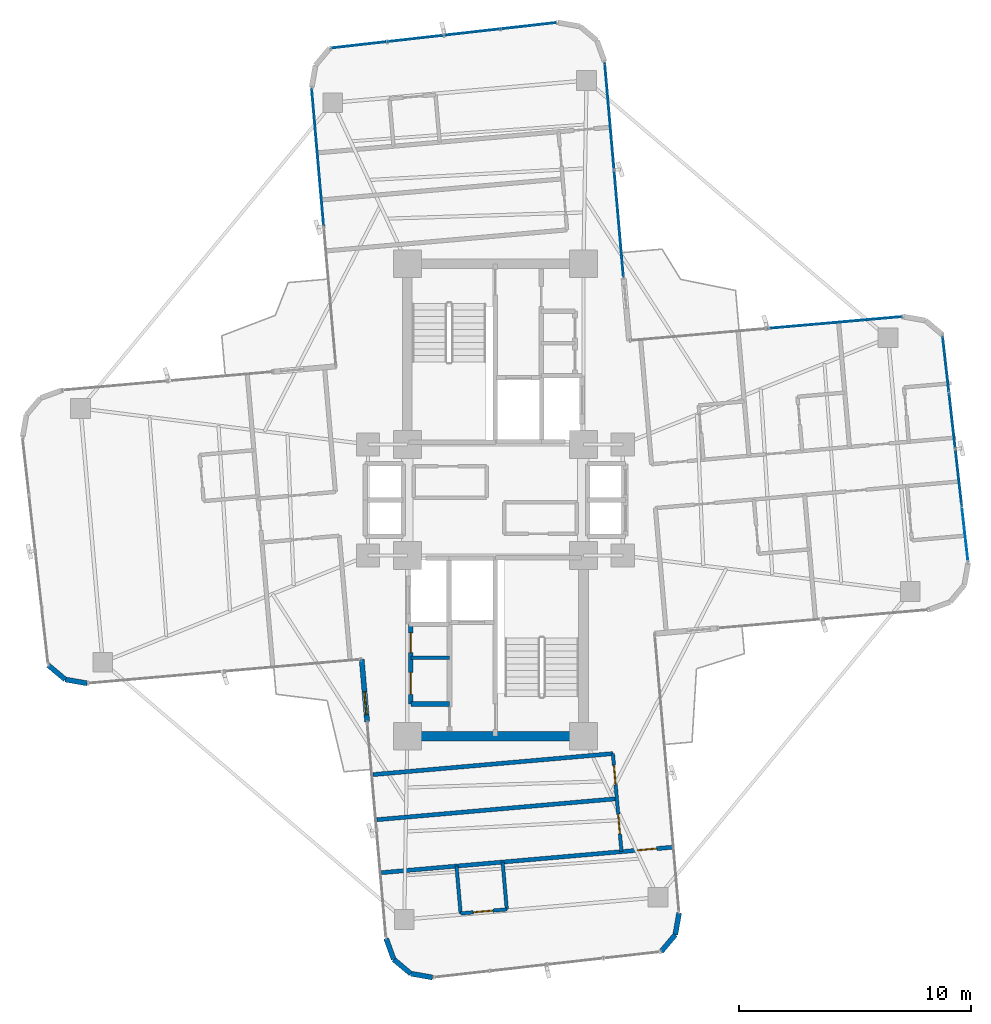
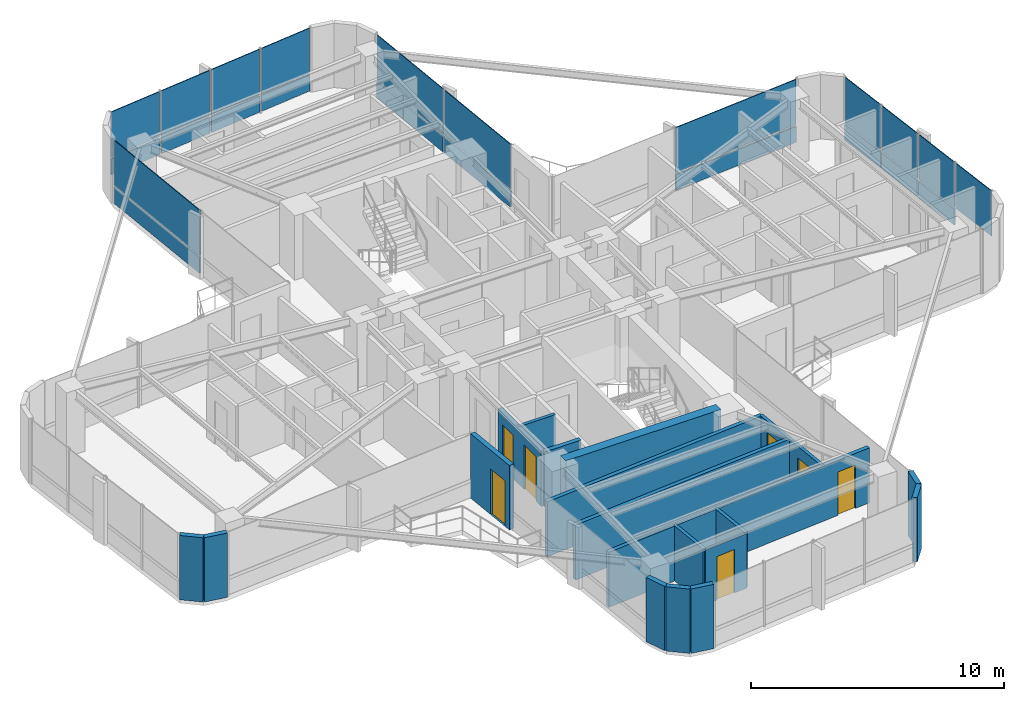
# One storey, part 20 of 24: 23 plates, 19 walls, 7 doors, 7 openings, 5 elements without a shape of their own.
"""IFC4 building model written with IfcOpenShell, lengths in metres."""

from ifc_helpers import new_model, si_unit, direction, frame, frame_2d, origin, origin_2d, place, context, subcontext, project, spatial, rectangle, extrude, source, transform, mapped, material, layer, layer_set, type_object, element, fill, aggregate, save


model = new_model("IFC4")

# Units and contexts
model_context = context("Model", 3, precision=1e-05, world=origin(), true_north=direction((0.0, 1.0)))
body_context = subcontext(model_context, "Body", "Model", "MODEL_VIEW")
ifc_project = project(units=[si_unit("LENGTHUNIT", "METRE"), si_unit("AREAUNIT", "SQUARE_METRE"), si_unit("VOLUMEUNIT", "CUBIC_METRE"), si_unit("PLANEANGLEUNIT", "RADIAN"), si_unit("MASSUNIT", "GRAM", prefix="KILO")], contexts=[model_context])

# Site, building, storey
site_placement = place(None, origin())
site = spatial("IfcSite", under=ifc_project, at=site_placement, CompositionType="ELEMENT")
building_placement = place(site_placement, origin())
building = spatial("IfcBuilding", under=site, at=building_placement, Name="Sahyath Konkavel Grand Hotel", CompositionType="ELEMENT")
storey_placement = place(building_placement, frame((0.0, 0.0, 191.949951171875)))
storey = spatial("IfcBuildingStorey", under=building, at=storey_placement, Name="L53", CompositionType="ELEMENT", Elevation=191.949951171875)

# Curtain wall, plates
ifc_material_1 = material(Name="Anodised Bronze Aluminium & Low-E Glazing", Category="aluminium")
curtain_wall_type = type_object("IfcCurtainWallType", Name="CW-ZONE3", PredefinedType="NOTDEFINED", material=ifc_material_1)
curtain_wall_1_placement = place(storey_placement, origin())
curtain_wall_1 = element("IfcCurtainWall", 1, at=curtain_wall_1_placement, inside=storey, type_object=curtain_wall_type, Name="L53 Unitised Curtain Wall F4", PredefinedType="NOTDEFINED")
ifc_material_2 = material(Name="Warm Buff Sandstone Cladding", Category="masonry")
ifc_layer_1 = layer(ifc_material_2, 0.074951171875)
ifc_layer_set_1 = layer_set([ifc_layer_1], Name="Warm Buff Sandstone Cladding")
plate_type_1 = type_object("IfcPlateType", Name="PNL-SPANDREL-STONE", PredefinedType="SHEET", material=ifc_layer_set_1)
shared_shape_1 = source(origin(), body_context, "Body", "SweptSolid", [
    extrude(rectangle(XDim=2.382080078125, YDim=0.074951171875, at=origin_2d()), origin(), (0.0, 0.0, 1.0), 0.77001953125),
])
plate_1_placement = place(storey_placement, frame((19.99755859375, 0.978515625, 0.0400390625), z_axis=(0.0, 0.0, 1.0), x_axis=(-0.111989252568, 0.993709417943, 0.0)))
plate_1 = element("IfcPlate", 2, at=plate_1_placement, type_object=plate_type_1, Name="L53 Sandstone Relief Spandrel Panel F4-1", PredefinedType="SHEET", context=body_context, shape_type="MappedRepresentation", body=[
    mapped(shared_shape_1, transform((0.0, 0.0, 0.0), scale=1.0)),
])
plate_2_placement = place(storey_placement, frame((19.7216796875, 3.425048828125, 0.0400390625), z_axis=(0.0, 0.0, 1.0), x_axis=(-0.111989252568, 0.993709417943, 0.0)))
plate_2 = element("IfcPlate", 3, at=plate_2_placement, type_object=plate_type_1, Name="L53 Sandstone Relief Spandrel Panel F4-2", PredefinedType="SHEET", context=body_context, shape_type="MappedRepresentation", body=[
    mapped(shared_shape_1, transform((0.0, 0.0, 0.0), scale=1.0)),
])
plate_3_placement = place(storey_placement, frame((19.446044921875, 5.87158203125, 0.0400390625), z_axis=(0.0, 0.0, 1.0), x_axis=(-0.111989252568, 0.993709417943, 0.0)))
plate_3 = element("IfcPlate", 4, at=plate_3_placement, type_object=plate_type_1, Name="L53 Sandstone Relief Spandrel Panel F4-3", PredefinedType="SHEET", context=body_context, shape_type="MappedRepresentation", body=[
    mapped(shared_shape_1, transform((0.0, 0.0, 0.0), scale=1.0)),
])

curtain_wall_2_placement = place(storey_placement, origin())
curtain_wall_2 = element("IfcCurtainWall", 5, at=curtain_wall_2_placement, inside=storey, type_object=curtain_wall_type, Name="L53 Unitised Curtain Wall F12", PredefinedType="NOTDEFINED")
plate_4_placement = place(storey_placement, frame((1.45068359375, 20.47265625, 0.0400390625), z_axis=(0.0, 0.0, 1.0), x_axis=(-0.993707463211, -0.112006596052, 0.0)))
plate_4 = element("IfcPlate", 6, at=plate_4_placement, type_object=plate_type_1, Name="L53 Sandstone Relief Spandrel Panel F12-0", PredefinedType="SHEET", context=body_context, shape_type="MappedRepresentation", body=[
    mapped(shared_shape_1, transform((0.0, 0.0, 0.0), scale=1.0)),
])
plate_5_placement = place(storey_placement, frame((-0.995849609375, 20.197021484375, 0.0400390625), z_axis=(0.0, 0.0, 1.0), x_axis=(-0.993707463211, -0.112006596052, 0.0)))
plate_5 = element("IfcPlate", 7, at=plate_5_placement, type_object=plate_type_1, Name="L53 Sandstone Relief Spandrel Panel F12-1", PredefinedType="SHEET", context=body_context, shape_type="MappedRepresentation", body=[
    mapped(shared_shape_1, transform((0.0, 0.0, 0.0), scale=1.0)),
])
plate_6_placement = place(storey_placement, frame((-3.4423828125, 19.921142578125, 0.0400390625), z_axis=(0.0, 0.0, 1.0), x_axis=(-0.993707463211, -0.112006596052, 0.0)))
plate_6 = element("IfcPlate", 8, at=plate_6_placement, type_object=plate_type_1, Name="L53 Sandstone Relief Spandrel Panel F12-2", PredefinedType="SHEET", context=body_context, shape_type="MappedRepresentation", body=[
    mapped(shared_shape_1, transform((0.0, 0.0, 0.0), scale=1.0)),
])
plate_7_placement = place(storey_placement, frame((-5.888916015625, 19.6455078125, 0.0400390625), z_axis=(0.0, 0.0, 1.0), x_axis=(-0.993707463211, -0.112006596052, 0.0)))
plate_7 = element("IfcPlate", 9, at=plate_7_placement, type_object=plate_type_1, Name="L53 Sandstone Relief Spandrel Panel F12-3", PredefinedType="SHEET", context=body_context, shape_type="MappedRepresentation", body=[
    mapped(shared_shape_1, transform((0.0, 0.0, 0.0), scale=1.0)),
])

# Curtain wall, plate
curtain_wall_3_placement = place(storey_placement, origin())
curtain_wall_3 = element("IfcCurtainWall", 10, at=curtain_wall_3_placement, inside=storey, type_object=curtain_wall_type, Name="L53 Unitised Curtain Wall F7", PredefinedType="NOTDEFINED")
shared_shape_2 = source(origin(), body_context, "Body", "SweptSolid", [
    extrude(rectangle(XDim=5.830078125, YDim=0.074951171875, at=origin_2d()), origin(), (0.0, 0.0, 1.0), 0.77001953125),
])
plate_8_placement = place(storey_placement, frame((14.6435546875, 7.655517578125, 0.0400390625), z_axis=(0.0, 0.0, 1.0), x_axis=(-0.996194698092, -0.087155742748, 0.0)))
plate_8 = element("IfcPlate", 11, at=plate_8_placement, type_object=plate_type_1, Name="L53 Sandstone Relief Spandrel Panel F7-0", PredefinedType="SHEET", context=body_context, shape_type="MappedRepresentation", body=[
    mapped(shared_shape_2, transform((0.0, 0.0, 0.0), scale=1.0)),
])

# Curtain wall, plates
curtain_wall_4_placement = place(storey_placement, origin())
curtain_wall_4 = element("IfcCurtainWall", 12, at=curtain_wall_4_placement, inside=storey, type_object=curtain_wall_type, Name="L53 Unitised Curtain Wall F8", PredefinedType="NOTDEFINED")
shared_shape_3 = source(origin(), body_context, "Body", "SweptSolid", [
    extrude(rectangle(XDim=4.580078125, YDim=0.074951171875, at=origin_2d()), origin(), (0.0, 0.0, 1.0), 0.77001953125),
])
plate_9_placement = place(storey_placement, frame((5.33056640625, 11.929931640625, 0.0400390625), z_axis=(0.0, 0.0, 1.0), x_axis=(-0.087155742748, 0.996194698092, 0.0)))
plate_9 = element("IfcPlate", 13, at=plate_9_placement, type_object=plate_type_1, Name="L53 Sandstone Relief Spandrel Panel F8-0", PredefinedType="SHEET", context=body_context, shape_type="MappedRepresentation", body=[
    mapped(shared_shape_3, transform((0.0, 0.0, 0.0), scale=1.0)),
])
plate_10_placement = place(storey_placement, frame((4.92431640625, 16.572265625, 0.0400390625), z_axis=(0.0, 0.0, 1.0), x_axis=(-0.087155742748, 0.996194698092, 0.0)))
plate_10 = element("IfcPlate", 14, at=plate_10_placement, type_object=plate_type_1, Name="L53 Sandstone Relief Spandrel Panel F8-1", PredefinedType="SHEET", context=body_context, shape_type="MappedRepresentation", body=[
    mapped(shared_shape_3, transform((0.0, 0.0, 0.0), scale=1.0)),
])

# Curtain wall, plate
curtain_wall_5_placement = place(storey_placement, origin())
curtain_wall_5 = element("IfcCurtainWall", 15, at=curtain_wall_5_placement, inside=storey, type_object=curtain_wall_type, Name="L53 Unitised Curtain Wall F15", PredefinedType="NOTDEFINED")
shared_shape_4 = source(origin(), body_context, "Body", "SweptSolid", [
    extrude(rectangle(XDim=5.929931640625, YDim=0.074951171875, at=origin_2d()), origin(), (0.0, 0.0, 1.0), 0.77001953125),
])
plate_11_placement = place(storey_placement, frame((-7.66845703125, 14.79296875, 0.0400390625), z_axis=(0.0, 0.0, 1.0), x_axis=(0.087155742748, -0.996194698092, 0.0)))
plate_11 = element("IfcPlate", 16, at=plate_11_placement, type_object=plate_type_1, Name="L53 Sandstone Relief Spandrel Panel F15-0", PredefinedType="SHEET", context=body_context, shape_type="MappedRepresentation", body=[
    mapped(shared_shape_4, transform((0.0, 0.0, 0.0), scale=1.0)),
])

# Plate
ifc_material_3 = material(Name="Low-E Solar Control Double Glazing", Category="glass")
ifc_layer_2 = layer(ifc_material_3, 0.035888671875)
ifc_layer_set_2 = layer_set([ifc_layer_2], Name="Low-E Solar Control Double Glazing")
plate_type_2 = type_object("IfcPlateType", Name="PNL-VISION-LOWE", PredefinedType="CURTAIN_PANEL", material=ifc_layer_set_2)
shared_shape_5 = source(origin(), body_context, "Body", "SweptSolid", [
    extrude(rectangle(XDim=2.382080078125, YDim=0.035888671875, at=origin_2d()), origin(), (0.0, 0.0, 1.0), 2.179931640625),
])
plate_12_placement = place(storey_placement, frame((20.2734375, -1.468017578125, 0.89013671875), z_axis=(0.0, 0.0, 1.0), x_axis=(-0.111989252568, 0.993709417943, 0.0)))
plate_12 = element("IfcPlate", 17, at=plate_12_placement, type_object=plate_type_2, Name="L53 Low-E Vision Glazing Panel F4-0", PredefinedType="CURTAIN_PANEL", context=body_context, shape_type="MappedRepresentation", body=[
    mapped(shared_shape_5, transform((0.0, 0.0, 0.0), scale=1.0)),
])

plate_13_placement = place(storey_placement, frame((19.99755859375, 0.978515625, 0.89013671875), z_axis=(0.0, 0.0, 1.0), x_axis=(-0.111989252568, 0.993709417943, 0.0)))
plate_13 = element("IfcPlate", 18, at=plate_13_placement, type_object=plate_type_2, Name="L53 Low-E Vision Glazing Panel F4-1", PredefinedType="CURTAIN_PANEL", context=body_context, shape_type="MappedRepresentation", body=[
    mapped(shared_shape_5, transform((0.0, 0.0, 0.0), scale=1.0)),
])

plate_14_placement = place(storey_placement, frame((19.7216796875, 3.425048828125, 0.89013671875), z_axis=(0.0, 0.0, 1.0), x_axis=(-0.111989252568, 0.993709417943, 0.0)))
plate_14 = element("IfcPlate", 19, at=plate_14_placement, type_object=plate_type_2, Name="L53 Low-E Vision Glazing Panel F4-2", PredefinedType="CURTAIN_PANEL", context=body_context, shape_type="MappedRepresentation", body=[
    mapped(shared_shape_5, transform((0.0, 0.0, 0.0), scale=1.0)),
])

plate_15_placement = place(storey_placement, frame((19.446044921875, 5.87158203125, 0.89013671875), z_axis=(0.0, 0.0, 1.0), x_axis=(-0.111989252568, 0.993709417943, 0.0)))
plate_15 = element("IfcPlate", 20, at=plate_15_placement, type_object=plate_type_2, Name="L53 Low-E Vision Glazing Panel F4-3", PredefinedType="CURTAIN_PANEL", context=body_context, shape_type="MappedRepresentation", body=[
    mapped(shared_shape_5, transform((0.0, 0.0, 0.0), scale=1.0)),
])

aggregate(curtain_wall_1, [plate_12, plate_1, plate_13, plate_2, plate_14, plate_3, plate_15])

plate_16_placement = place(storey_placement, frame((1.45068359375, 20.47265625, 0.89013671875), z_axis=(0.0, 0.0, 1.0), x_axis=(-0.993707463211, -0.112006596052, 0.0)))
plate_16 = element("IfcPlate", 21, at=plate_16_placement, type_object=plate_type_2, Name="L53 Low-E Vision Glazing Panel F12-0", PredefinedType="CURTAIN_PANEL", context=body_context, shape_type="MappedRepresentation", body=[
    mapped(shared_shape_5, transform((0.0, 0.0, 0.0), scale=1.0)),
])

plate_17_placement = place(storey_placement, frame((-0.995849609375, 20.197021484375, 0.89013671875), z_axis=(0.0, 0.0, 1.0), x_axis=(-0.993707463211, -0.112006596052, 0.0)))
plate_17 = element("IfcPlate", 22, at=plate_17_placement, type_object=plate_type_2, Name="L53 Low-E Vision Glazing Panel F12-1", PredefinedType="CURTAIN_PANEL", context=body_context, shape_type="MappedRepresentation", body=[
    mapped(shared_shape_5, transform((0.0, 0.0, 0.0), scale=1.0)),
])

plate_18_placement = place(storey_placement, frame((-3.4423828125, 19.921142578125, 0.89013671875), z_axis=(0.0, 0.0, 1.0), x_axis=(-0.993707463211, -0.112006596052, 0.0)))
plate_18 = element("IfcPlate", 23, at=plate_18_placement, type_object=plate_type_2, Name="L53 Low-E Vision Glazing Panel F12-2", PredefinedType="CURTAIN_PANEL", context=body_context, shape_type="MappedRepresentation", body=[
    mapped(shared_shape_5, transform((0.0, 0.0, 0.0), scale=1.0)),
])

plate_19_placement = place(storey_placement, frame((-5.888916015625, 19.6455078125, 0.89013671875), z_axis=(0.0, 0.0, 1.0), x_axis=(-0.993707463211, -0.112006596052, 0.0)))
plate_19 = element("IfcPlate", 24, at=plate_19_placement, type_object=plate_type_2, Name="L53 Low-E Vision Glazing Panel F12-3", PredefinedType="CURTAIN_PANEL", context=body_context, shape_type="MappedRepresentation", body=[
    mapped(shared_shape_5, transform((0.0, 0.0, 0.0), scale=1.0)),
])

aggregate(curtain_wall_2, [plate_4, plate_16, plate_5, plate_17, plate_6, plate_18, plate_7, plate_19])

shared_shape_6 = source(origin(), body_context, "Body", "SweptSolid", [
    extrude(rectangle(XDim=5.830078125, YDim=0.035888671875, at=origin_2d()), origin(), (0.0, 0.0, 1.0), 2.179931640625),
])
plate_20_placement = place(storey_placement, frame((14.6435546875, 7.655517578125, 0.89013671875), z_axis=(0.0, 0.0, 1.0), x_axis=(-0.996194698092, -0.087155742748, 0.0)))
plate_20 = element("IfcPlate", 25, at=plate_20_placement, type_object=plate_type_2, Name="L53 Low-E Vision Glazing Panel F7-0", PredefinedType="CURTAIN_PANEL", context=body_context, shape_type="MappedRepresentation", body=[
    mapped(shared_shape_6, transform((0.0, 0.0, 0.0), scale=1.0)),
])

aggregate(curtain_wall_3, [plate_8, plate_20])

shared_shape_7 = source(origin(), body_context, "Body", "SweptSolid", [
    extrude(rectangle(XDim=4.580078125, YDim=0.035888671875, at=origin_2d()), origin(), (0.0, 0.0, 1.0), 2.179931640625),
])
plate_21_placement = place(storey_placement, frame((5.33056640625, 11.929931640625, 0.89013671875), z_axis=(0.0, 0.0, 1.0), x_axis=(-0.087155742748, 0.996194698092, 0.0)))
plate_21 = element("IfcPlate", 26, at=plate_21_placement, type_object=plate_type_2, Name="L53 Low-E Vision Glazing Panel F8-0", PredefinedType="CURTAIN_PANEL", context=body_context, shape_type="MappedRepresentation", body=[
    mapped(shared_shape_7, transform((0.0, 0.0, 0.0), scale=1.0)),
])

plate_22_placement = place(storey_placement, frame((4.92431640625, 16.572265625, 0.89013671875), z_axis=(0.0, 0.0, 1.0), x_axis=(-0.087155742748, 0.996194698092, 0.0)))
plate_22 = element("IfcPlate", 27, at=plate_22_placement, type_object=plate_type_2, Name="L53 Low-E Vision Glazing Panel F8-1", PredefinedType="CURTAIN_PANEL", context=body_context, shape_type="MappedRepresentation", body=[
    mapped(shared_shape_7, transform((0.0, 0.0, 0.0), scale=1.0)),
])

aggregate(curtain_wall_4, [plate_9, plate_21, plate_10, plate_22])

shared_shape_8 = source(origin(), body_context, "Body", "SweptSolid", [
    extrude(rectangle(XDim=5.929931640625, YDim=0.035888671875, at=origin_2d()), origin(), (0.0, 0.0, 1.0), 2.179931640625),
])
plate_23_placement = place(storey_placement, frame((-7.66845703125, 14.79296875, 0.89013671875), z_axis=(0.0, 0.0, 1.0), x_axis=(0.087155742748, -0.996194698092, 0.0)))
plate_23 = element("IfcPlate", 28, at=plate_23_placement, type_object=plate_type_2, Name="L53 Low-E Vision Glazing Panel F15-0", PredefinedType="CURTAIN_PANEL", context=body_context, shape_type="MappedRepresentation", body=[
    mapped(shared_shape_8, transform((0.0, 0.0, 0.0), scale=1.0)),
])

aggregate(curtain_wall_5, [plate_11, plate_23])

# Walls
ifc_material_4 = material(Name="Concrete C50/60", Category="concrete")
ifc_layer_3 = layer(ifc_material_4, 0.419921875)
ifc_layer_set_3 = layer_set([ifc_layer_3], Name="Concrete C50/60")
wall_type_1 = type_object("IfcWallType", Name="CWALL-420", PredefinedType="SHEAR", material=ifc_layer_set_3)
wall_1_placement = place(storey_placement, frame((-3.550048828125, -10.199951171875, 0.0), z_axis=(0.0, 0.0, 1.0), x_axis=(1.0, 0.0, 0.0)))
element("IfcWall", 29, at=wall_1_placement, inside=storey, type_object=wall_type_1, Name="L53 South Core Shear Wall S", PredefinedType="SHEAR", context=body_context, shape_type="SweptSolid", body=[
    extrude(rectangle(XDim=7.10009765625, YDim=0.419921875, at=frame_2d((3.550048828125, 0.0))), origin(), (0.0, 0.0, 1.0), 3.110107421875),
])
ifc_material_5 = material(Name="Warm Buff Sandstone Insulated Concrete C40/50", Category="masonry")
ifc_layer_4 = layer(ifc_material_5, 0.219970703125)
ifc_layer_set_4 = layer_set([ifc_layer_4], Name="Warm Buff Sandstone Insulated Concrete C40/50")
wall_type_2 = type_object("IfcWallType", Name="WLL-BALC-THRESH", PredefinedType="STANDARD", material=ifc_layer_set_4)
wall_2_placement = place(storey_placement, frame((-19.3037109375, -7.134521484375, 0.0), z_axis=(0.0, 0.0, 1.0), x_axis=(0.766001159887, -0.642839189107, 0.0)))
element("IfcWall", 30, at=wall_2_placement, inside=storey, type_object=wall_type_2, Name="L53 Rounded Corner Sandstone Pier 21", PredefinedType="STANDARD", context=body_context, shape_type="SweptSolid", body=[
    extrude(rectangle(XDim=0.95751953125, YDim=0.219970703125, at=frame_2d((0.478759765625, 0.0))), origin(), (0.0, 0.0, 1.0), 3.110107421875),
])
wall_3_placement = place(storey_placement, frame((-18.5703125, -7.75, 0.0), z_axis=(0.0, 0.0, 1.0), x_axis=(0.984770724397, -0.173858046606, 0.0)))
element("IfcWall", 31, at=wall_3_placement, inside=storey, type_object=wall_type_2, Name="L53 Rounded Corner Sandstone Pier 22", PredefinedType="STANDARD", context=body_context, shape_type="SweptSolid", body=[
    extrude(rectangle(XDim=0.957763671875, YDim=0.219970703125, at=frame_2d((0.47900390625, 0.0))), origin(), (0.0, 0.0, 1.0), 3.110107421875),
])

# Wall, opening, door
wall_4_placement = place(storey_placement, frame((-5.7724609375, -6.87939453125, 0.0), z_axis=(0.0, 0.0, 1.0), x_axis=(0.087168071984, -0.996193619346, 0.0)))
wall_4 = element("IfcWall", 32, at=wall_4_placement, inside=storey, type_object=wall_type_2, Name="L53 Winter-Garden Threshold Wall 24", PredefinedType="STANDARD", context=body_context, shape_type="SweptSolid", body=[
    extrude(rectangle(XDim=2.699951171875, YDim=0.219970703125, at=frame_2d((1.35009765625, 0.0))), origin(), (0.0, 0.0, 1.0), 3.110107421875),
])
opening_1_placement = place(wall_4_placement, frame((1.39990234375, 0.0, 0.0)))
opening_1 = element("IfcOpeningElement", 33, at=opening_1_placement, cuts=wall_4, Name="Opening D-TR1", PredefinedType="OPENING", context=body_context, shape_type="SweptSolid", body=[
    extrude(rectangle(XDim=1.0, YDim=2.199951171875, at=frame_2d((0.5, 1.10009765625))), frame((0.0, 0.1201171875, 0.0), z_axis=(0.0, -1.0, 0.0), x_axis=(1.0, 0.0, 0.0)), (0.0, 0.0, 1.0), 0.239990234375),
])
door_type_1 = type_object("IfcDoorType", Name="DR-TERRACE-1000", OperationType="NOTDEFINED", PredefinedType="DOOR", material=ifc_material_1)
shared_shape_9 = source(origin(), body_context, "Body", "SweptSolid", [
    extrude(rectangle(XDim=1.0, YDim=0.050048828125, at=origin_2d()), origin(), (0.0, 0.0, 1.0), 2.199951171875),
])
door_1_placement = place(opening_1_placement, frame((0.5, 0.0, 0.0)))
door_1 = element("IfcDoor", 34, at=door_1_placement, inside=storey, type_object=door_type_1, Name="L53 Winter-Garden Terrace Door 24", OperationType="SINGLE_SWING_LEFT", OverallHeight=2.199951171875, OverallWidth=1.0, PredefinedType="DOOR", context=body_context, shape_type="MappedRepresentation", body=[
    mapped(shared_shape_9, transform((0.0, 0.0, 0.0), scale=1.0)),
])
fill(opening_1, door_1)

# Walls
wall_5_placement = place(storey_placement, frame((-4.7177734375, -18.93310546875, 0.0), z_axis=(0.0, 0.0, 1.0), x_axis=(0.34188635151, -0.939741306239, 0.0)))
element("IfcWall", 35, at=wall_5_placement, inside=storey, type_object=wall_type_2, Name="L53 Rounded Corner Sandstone Pier 25", PredefinedType="STANDARD", context=body_context, shape_type="SweptSolid", body=[
    extrude(rectangle(XDim=0.95751953125, YDim=0.219970703125, at=frame_2d((0.478759765625, 0.0))), origin(), (0.0, 0.0, 1.0), 3.110107421875),
])
for number, where, z_axis, x_axis, name in (
    (36, (-4.390380859375, -19.8330078125, 0.0), (0.0, 0.0, 1.0), (0.765980978054, -0.642863236823, 0.0), "L53 Rounded Corner Sandstone Pier 26"),
    (37, (-3.65673828125, -20.44873046875, 0.0), (0.0, 0.0, 1.0), (0.984814340885, -0.173610811841, 0.0), "L53 Rounded Corner Sandstone Pier 27"),
):
    element("IfcWall", number, at=place(storey_placement, frame(where, z_axis=z_axis, x_axis=x_axis)), inside=storey, type_object=wall_type_2, Name=name, PredefinedType="STANDARD", context=body_context, shape_type="SweptSolid", body=[
        extrude(rectangle(XDim=0.957763671875, YDim=0.219970703125, at=frame_2d((0.47900390625, 0.0))), origin(), (0.0, 0.0, 1.0), 3.110107421875),
    ])
for number, where, z_axis, x_axis, name in (
    (38, (7.152099609375, -19.5029296875, 0.0), (0.0, 0.0, 1.0), (0.642713642115, 0.766106503196, 0.0), "L53 Rounded Corner Sandstone Pier 29"),
    (39, (7.767578125, -18.769287109375, 0.0), (0.0, 0.0, 1.0), (0.173654409999, 0.984806654064, 0.0), "L53 Rounded Corner Sandstone Pier 30"),
):
    element("IfcWall", number, at=place(storey_placement, frame(where, z_axis=z_axis, x_axis=x_axis)), inside=storey, type_object=wall_type_2, Name=name, PredefinedType="STANDARD", context=body_context, shape_type="SweptSolid", body=[
        extrude(rectangle(XDim=0.95751953125, YDim=0.219970703125, at=frame_2d((0.478759765625, 0.0))), origin(), (0.0, 0.0, 1.0), 3.110107421875),
    ])

# Wall, openings, doors
ifc_material_6 = material(Name="Concrete C40/50", Category="concrete")
ifc_layer_5 = layer(ifc_material_6, 0.199951171875)
ifc_layer_set_5 = layer_set([ifc_layer_5], Name="Concrete C40/50")
wall_type_3 = type_object("IfcWallType", Name="WLL-CORE-200", PredefinedType="SOLIDWALL", material=ifc_layer_set_5)
wall_6_placement = place(storey_placement, frame((-3.64990234375, -8.81005859375, 0.0), z_axis=(0.0, 0.0, 1.0), x_axis=(0.0, 1.0, 0.0)))
wall_6 = element("IfcWall", 40, at=wall_6_placement, inside=storey, type_object=wall_type_3, Name="L53 Reclaimed South Core Wall W", PredefinedType="SOLIDWALL", context=body_context, shape_type="SweptSolid", body=[
    extrude(rectangle(XDim=3.43017578125, YDim=0.199951171875, at=frame_2d((1.715087890625, 0.0))), origin(), (0.0, 0.0, 1.0), 2.66015625),
])
opening_2_placement = place(wall_6_placement, frame((0.419921875, 0.0, 0.0)))
opening_2 = element("IfcOpeningElement", 41, at=opening_2_placement, cuts=wall_6, Name="Opening D-AC95", PredefinedType="OPENING", context=body_context, shape_type="SweptSolid", body=[
    extrude(rectangle(XDim=0.949951171875, YDim=2.14990234375, at=frame_2d((0.47509765625, 1.074951171875))), frame((0.0, 0.10986328125, 0.0), z_axis=(0.0, -1.0, 0.0), x_axis=(1.0, 0.0, 0.0)), (0.0, 0.0, 1.0), 0.219970703125),
])
opening_3_placement = place(wall_6_placement, frame((2.219970703125, 0.0, 0.0)))
opening_3 = element("IfcOpeningElement", 42, at=opening_3_placement, cuts=wall_6, Name="Opening D-F06D", PredefinedType="OPENING", context=body_context, shape_type="SweptSolid", body=[
    extrude(rectangle(XDim=0.85009765625, YDim=2.10009765625, at=frame_2d((0.425048828125, 1.050048828125))), frame((0.0, 0.10986328125, 0.0), z_axis=(0.0, -1.0, 0.0), x_axis=(1.0, 0.0, 0.0)), (0.0, 0.0, 1.0), 0.219970703125),
])
ifc_material_7 = material(Name="Accessible Washroom Timber Door", Category="wood")
door_type_2 = type_object("IfcDoorType", Name="DR-ACC-950", OperationType="NOTDEFINED", PredefinedType="DOOR", material=ifc_material_7)
shared_shape_10 = source(origin(), body_context, "Body", "SweptSolid", [
    extrude(rectangle(XDim=0.949951171875, YDim=0.050048828125, at=origin_2d()), origin(), (0.0, 0.0, 1.0), 2.14990234375),
])
door_2_placement = place(opening_2_placement, frame((0.47509765625, 0.0, 0.0)))
door_2 = element("IfcDoor", 43, at=door_2_placement, inside=storey, type_object=door_type_2, Name="L53 Door SC-REC1-D", OperationType="SINGLE_SWING_LEFT", OverallHeight=2.14990234375, OverallWidth=0.949951171875, PredefinedType="DOOR", context=body_context, shape_type="MappedRepresentation", body=[
    mapped(shared_shape_10, transform((0.0, 0.0, 0.0), scale=1.0)),
])
fill(opening_2, door_2)
ifc_material_8 = material(Name="Fire-Rated Shaft Access Door")
door_type_3 = type_object("IfcDoorType", Name="DR-FD60-850", OperationType="NOTDEFINED", PredefinedType="DOOR", material=ifc_material_8)
shared_shape_11 = source(origin(), body_context, "Body", "SweptSolid", [
    extrude(rectangle(XDim=0.85009765625, YDim=0.050048828125, at=origin_2d()), origin(), (0.0, 0.0, 1.0), 2.10009765625),
])
door_3_placement = place(opening_3_placement, frame((0.425048828125, 0.0, 0.0)))
door_3 = element("IfcDoor", 44, at=door_3_placement, inside=storey, type_object=door_type_3, Name="L53 Door SC-REC2-D", OperationType="SINGLE_SWING_RIGHT", OverallHeight=2.10009765625, OverallWidth=0.85009765625, PredefinedType="DOOR", context=body_context, shape_type="MappedRepresentation", body=[
    mapped(shared_shape_11, transform((0.0, 0.0, 0.0), scale=1.0)),
])
fill(opening_3, door_3)

# Walls
wall_7_placement = place(storey_placement, frame((-3.64990234375, -8.81005859375, 0.0), z_axis=(0.0, 0.0, 1.0), x_axis=(1.0, 0.0, 0.0)))
element("IfcWall", 45, at=wall_7_placement, inside=storey, type_object=wall_type_3, Name="L53 Partition SC-REC-S", PredefinedType="SOLIDWALL", context=body_context, shape_type="SweptSolid", body=[
    extrude(rectangle(XDim=1.669921875, YDim=0.199951171875, at=frame_2d((0.8349609375, 0.0))), origin(), (0.0, 0.0, 1.0), 2.66015625),
])
ifc_material_9 = material(Name="Twin-Stud Acoustic Gypsum Plasterboard Partition")
ifc_layer_6 = layer(ifc_material_9, 0.179931640625)
ifc_layer_set_6 = layer_set([ifc_layer_6], Name="Twin-Stud Acoustic Gypsum Plasterboard Partition")
wall_type_4 = type_object("IfcWallType", Name="WLL-DEMISE-180", PredefinedType="PARTITIONING", material=ifc_layer_set_6)
for number, where, z_axis, x_axis, name in (
    (46, (-5.286865234375, -11.85595703125, 0.0), (0.0, 0.0, 1.0), (0.996194023261, 0.087163455754, 0.0), "L53 Partition S-G5I"),
    (47, (5.243896484375, -12.89697265625, 0.0), (0.0, 0.0, 1.0), (-0.996194023261, -0.087163455754, 0.0), "L53 Partition S-SD1-DEM"),
):
    element("IfcWall", number, at=place(storey_placement, frame(where, z_axis=z_axis, x_axis=x_axis)), inside=storey, type_object=wall_type_4, Name=name, PredefinedType="PARTITIONING", context=body_context, shape_type="SweptSolid", body=[
        extrude(rectangle(XDim=10.39990234375, YDim=0.179931640625, at=frame_2d((5.199951171875, 0.0))), origin(), (0.0, 0.0, 1.0), 2.66015625),
    ])

# Wall, opening, door
wall_8_placement = place(storey_placement, frame((-4.91650390625, -16.089599609375, 0.0), z_axis=(0.0, 0.0, 1.0), x_axis=(0.996196619285, 0.087133780622, 0.0)))
wall_8 = element("IfcWall", 48, at=wall_8_placement, inside=storey, type_object=wall_type_4, Name="L53 Partition S-STIP-END", PredefinedType="PARTITIONING", context=body_context, shape_type="SweptSolid", body=[
    extrude(rectangle(XDim=12.60009765625, YDim=0.179931640625, at=frame_2d((6.300048828125, 0.0))), origin(), (0.0, 0.0, 1.0), 2.66015625),
])
opening_4_placement = place(wall_8_placement, frame((11.074951171875, 0.0, 0.0)))
opening_4 = element("IfcOpeningElement", 49, at=opening_4_placement, cuts=wall_8, Name="Opening D-F06D", PredefinedType="OPENING", context=body_context, shape_type="SweptSolid", body=[
    extrude(rectangle(XDim=0.85009765625, YDim=2.10009765625, at=frame_2d((0.425048828125, 1.050048828125))), frame((0.0, 0.10009765625, 0.0), z_axis=(0.0, -1.0, 0.0), x_axis=(1.0, 0.0, 0.0)), (0.0, 0.0, 1.0), 0.199951171875),
])
door_4_placement = place(opening_4_placement, frame((0.425048828125, 0.0, 0.0)))
door_4 = element("IfcDoor", 50, at=door_4_placement, inside=storey, type_object=door_type_3, Name="L53 Door S-STIP-ED", OperationType="SINGLE_SWING_RIGHT", OverallHeight=2.10009765625, OverallWidth=0.85009765625, PredefinedType="DOOR", context=body_context, shape_type="MappedRepresentation", body=[
    mapped(shared_shape_11, transform((0.0, 0.0, 0.0), scale=1.0)),
])
fill(opening_4, door_4)

# Wall
ifc_material_10 = material(Name="Fire-Rated Gypsum Plasterboard Partition")
ifc_layer_7 = layer(ifc_material_10, 0.14990234375)
ifc_layer_set_7 = layer_set([ifc_layer_7], Name="Fire-Rated Gypsum Plasterboard Partition")
wall_type_5 = type_object("IfcWallType", Name="WLL-PART-150", PredefinedType="PARTITIONING", material=ifc_layer_set_7)
wall_9_placement = place(storey_placement, frame((-3.64990234375, -6.81005859375, 0.0), z_axis=(0.0, 0.0, 1.0), x_axis=(1.0, 0.0, 0.0)))
element("IfcWall", 51, at=wall_9_placement, inside=storey, type_object=wall_type_5, Name="L53 Partition SC-REC-M1", PredefinedType="PARTITIONING", context=body_context, shape_type="SweptSolid", body=[
    extrude(rectangle(XDim=1.669921875, YDim=0.14990234375, at=frame_2d((0.8349609375, 0.0))), origin(), (0.0, 0.0, 1.0), 2.66015625),
])

# Wall, openings, doors
wall_10_placement = place(storey_placement, frame((5.073486328125, -10.949462890625, 0.0), z_axis=(0.0, 0.0, 1.0), x_axis=(0.087199729468, -0.996190848774, 0.0)))
wall_10 = element("IfcWall", 52, at=wall_10_placement, inside=storey, type_object=wall_type_5, Name="L53 Partition S-G5W", PredefinedType="PARTITIONING", context=body_context, shape_type="SweptSolid", body=[
    extrude(rectangle(XDim=4.25, YDim=0.14990234375, at=frame_2d((2.125, 0.0))), origin(), (0.0, 0.0, 1.0), 2.66015625),
])
opening_5_placement = place(wall_10_placement, frame((0.5029296875, 0.0, 0.0)))
opening_5 = element("IfcOpeningElement", 53, at=opening_5_placement, cuts=wall_10, Name="Opening D-F06D", PredefinedType="OPENING", context=body_context, shape_type="SweptSolid", body=[
    extrude(rectangle(XDim=0.85009765625, YDim=2.10009765625, at=frame_2d((0.425048828125, 1.050048828125))), frame((0.0, 0.0849609375, 0.0), z_axis=(0.0, -1.0, 0.0), x_axis=(1.0, 0.0, 0.0)), (0.0, 0.0, 1.0), 0.169921875),
])
opening_6_placement = place(wall_10_placement, frame((2.6279296875, 0.0, 0.0)))
opening_6 = element("IfcOpeningElement", 54, at=opening_6_placement, cuts=wall_10, Name="Opening D-F06D", PredefinedType="OPENING", context=body_context, shape_type="SweptSolid", body=[
    extrude(rectangle(XDim=0.85009765625, YDim=2.10009765625, at=frame_2d((0.425048828125, 1.050048828125))), frame((0.0, 0.0849609375, 0.0), z_axis=(0.0, -1.0, 0.0), x_axis=(1.0, 0.0, 0.0)), (0.0, 0.0, 1.0), 0.169921875),
])
door_5_placement = place(opening_5_placement, frame((0.425048828125, 0.0, 0.0)))
door_5 = element("IfcDoor", 55, at=door_5_placement, inside=storey, type_object=door_type_3, Name="L53 Door S-SD1-D", OperationType="SINGLE_SWING_LEFT", OverallHeight=2.10009765625, OverallWidth=0.85009765625, PredefinedType="DOOR", context=body_context, shape_type="MappedRepresentation", body=[
    mapped(shared_shape_11, transform((0.0, 0.0, 0.0), scale=1.0)),
])
fill(opening_5, door_5)
door_6_placement = place(opening_6_placement, frame((0.425048828125, 0.0, 0.0)))
door_6 = element("IfcDoor", 56, at=door_6_placement, inside=storey, type_object=door_type_3, Name="L53 Door S-SD2-D", OperationType="SINGLE_SWING_RIGHT", OverallHeight=2.10009765625, OverallWidth=0.85009765625, PredefinedType="DOOR", context=body_context, shape_type="MappedRepresentation", body=[
    mapped(shared_shape_11, transform((0.0, 0.0, 0.0), scale=1.0)),
])
fill(opening_6, door_6)

# Walls
for number, where, z_axis, x_axis, name in (
    (57, (0.313720703125, -15.632080078125, 0.0), (0.0, 0.0, 1.0), (0.087056149438, -0.996203406361, 0.0), "L53 Partition S-STIP-BN"),
    (58, (-1.6787109375, -15.806396484375, 0.0), (0.0, 0.0, 1.0), (0.087174336889, -0.99619307114, 0.0), "L53 Partition S-STIP-BS"),
):
    element("IfcWall", number, at=place(storey_placement, frame(where, z_axis=z_axis, x_axis=x_axis)), inside=storey, type_object=wall_type_5, Name=name, PredefinedType="PARTITIONING", context=body_context, shape_type="SweptSolid", body=[
        extrude(rectangle(XDim=2.050048828125, YDim=0.14990234375, at=frame_2d((1.02490234375, 0.0))), origin(), (0.0, 0.0, 1.0), 2.66015625),
    ])

# Wall, opening, door
wall_11_placement = place(storey_placement, frame((-1.5, -17.8486328125, 0.0), z_axis=(0.0, 0.0, 1.0), x_axis=(0.996193717496, 0.087166950281, 0.0)))
wall_11 = element("IfcWall", 59, at=wall_11_placement, inside=storey, type_object=wall_type_5, Name="L53 Partition S-STIP-BE", PredefinedType="PARTITIONING", context=body_context, shape_type="SweptSolid", body=[
    extrude(rectangle(XDim=1.999755859375, YDim=0.14990234375, at=frame_2d((1.0, 0.0))), origin(), (0.0, 0.0, 1.0), 2.630126953125),
])
opening_7_placement = place(wall_11_placement, frame((0.550048828125, 0.0, 0.0)))
opening_7 = element("IfcOpeningElement", 60, at=opening_7_placement, cuts=wall_11, Name="Opening D-BT85", PredefinedType="OPENING", context=body_context, shape_type="SweptSolid", body=[
    extrude(rectangle(XDim=0.85009765625, YDim=2.10009765625, at=frame_2d((0.425048828125, 1.050048828125))), frame((0.0, 0.0849609375, 0.0), z_axis=(0.0, -1.0, 0.0), x_axis=(1.0, 0.0, 0.0)), (0.0, 0.0, 1.0), 0.169921875),
])
ifc_material_11 = material(Name="Moisture-Resistant Teak Bathroom Door")
door_type_4 = type_object("IfcDoorType", Name="DR-BATH-850", OperationType="NOTDEFINED", PredefinedType="DOOR", material=ifc_material_11)
door_7_placement = place(opening_7_placement, frame((0.425048828125, 0.0, 0.0)))
door_7 = element("IfcDoor", 61, at=door_7_placement, inside=storey, type_object=door_type_4, Name="L53 Door S-STIP-BD", OperationType="SINGLE_SWING_LEFT", OverallHeight=2.10009765625, OverallWidth=0.85009765625, PredefinedType="DOOR", context=body_context, shape_type="MappedRepresentation", body=[
    mapped(shared_shape_11, transform((0.0, 0.0, 0.0), scale=1.0)),
])
fill(opening_7, door_7)

save(model, "model.ifc")
